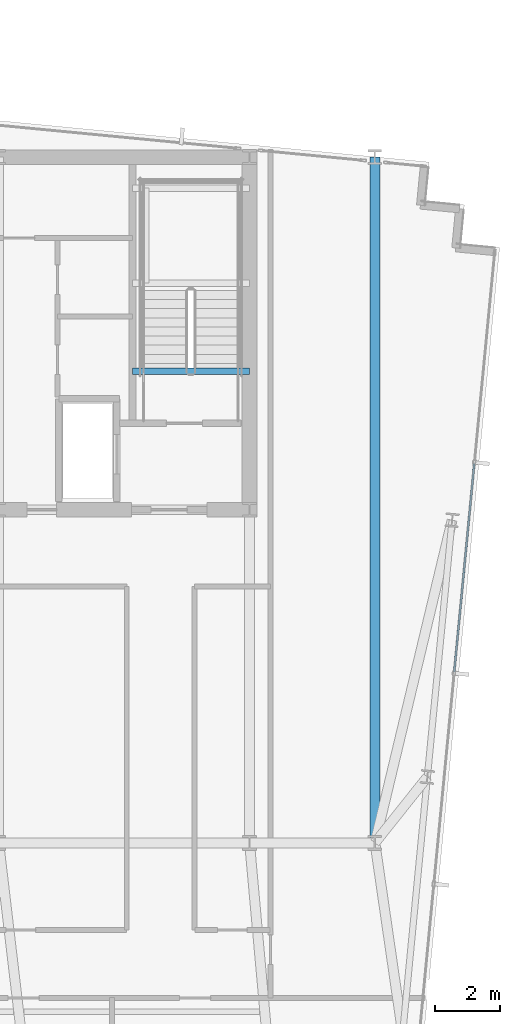
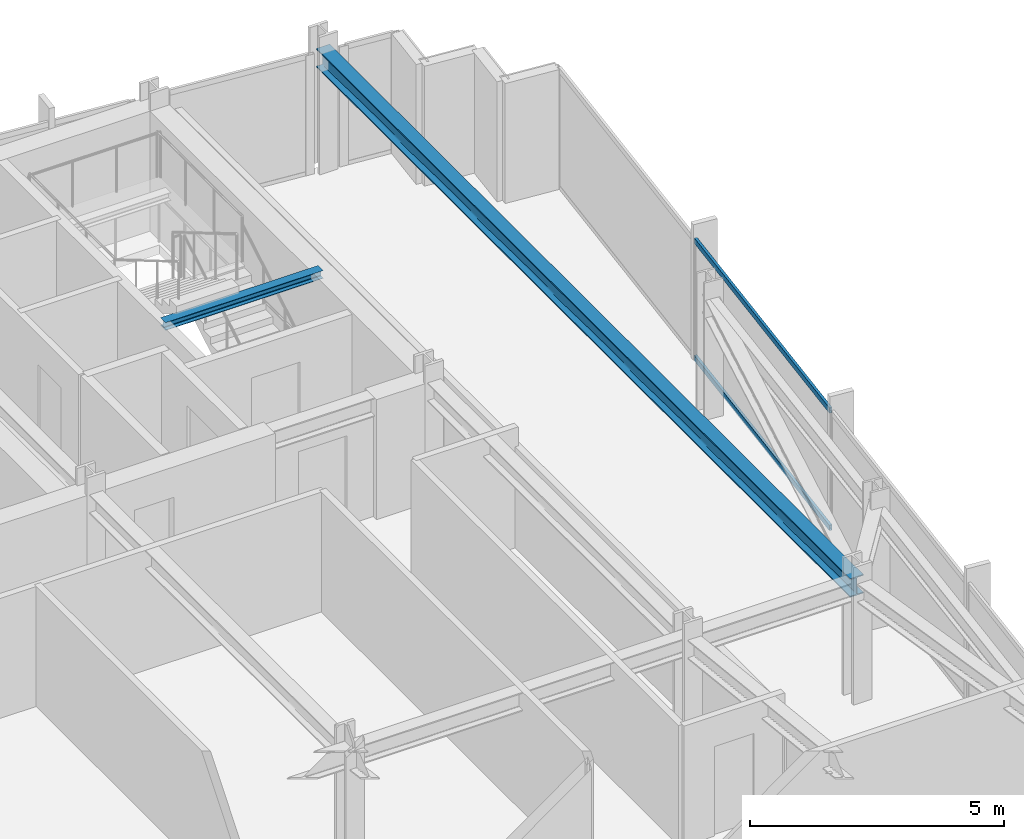
# One storey, part 19 of 37: 2 beams, 2 members, 1 element without a shape of its own.
"""IFC4 building model written with IfcOpenShell, lengths in metres."""

from ifc_helpers import new_model, si_unit, direction, frame, origin, origin_2d, place, context, subcontext, project, spatial, hollow_rectangle, i_section, extrude, material, material_profile, profile_set, type_object, element, aggregate, save


model = new_model("IFC4")

# Units and contexts
model_context = context("Model", 3, precision=1e-05, world=origin(), true_north=direction((0.0, 1.0)))
body_context = subcontext(model_context, "Body", "Model", "MODEL_VIEW")
ifc_project = project(units=[si_unit("LENGTHUNIT", "METRE"), si_unit("AREAUNIT", "SQUARE_METRE"), si_unit("VOLUMEUNIT", "CUBIC_METRE"), si_unit("PLANEANGLEUNIT", "RADIAN"), si_unit("MASSUNIT", "GRAM", prefix="KILO")], contexts=[model_context])

# Site, building, storey
site_placement = place(None, origin())
site = spatial("IfcSite", under=ifc_project, at=site_placement, CompositionType="ELEMENT")
building_placement = place(site_placement, origin())
building = spatial("IfcBuilding", under=site, at=building_placement, Name="Yelkora Congress Tower", CompositionType="ELEMENT")
storey_placement = place(building_placement, frame((0.0, 0.0, 188.60009765625)))
storey = spatial("IfcBuildingStorey", under=building, at=storey_placement, Name="L52", CompositionType="ELEMENT", Elevation=188.60009765625)

# Beams
ifc_material_1 = material(Name="Steel S355J2", Category="steel")
ifc_material_profile_1 = material_profile(ifc_material_1, i_section(OverallWidth=0.300048828125, OverallDepth=0.449951171875, WebThickness=0.013916015625, FlangeThickness=0.02587890625, FilletRadius=0.027099609375, at=origin_2d()), Name="HEB 450")
ifc_profile_set_1 = profile_set([ifc_material_profile_1], Name="Steel S355J2")
beam_type_1 = type_object("IfcBeamType", Name="BM-GIRD-HEB450", PredefinedType="BEAM", material=ifc_profile_set_1)
beam_1_placement = place(storey_placement, frame((57.60009765625, 25.199951171875, 2.65478515625), z_axis=(0.0, 1.0, 0.0), x_axis=(-1.0, 0.0, 0.0)))
element("IfcBeam", 1, at=beam_1_placement, inside=storey, type_object=beam_type_1, Name="L52 Neck Flank Girder MC-F2", PredefinedType="BEAM", context=body_context, shape_type="SweptSolid", body=[
    extrude(i_section(OverallWidth=0.300048828125, OverallDepth=0.449951171875, WebThickness=0.013916015625, FlangeThickness=0.02587890625, FilletRadius=0.027099609375, at=origin_2d()), origin(), (0.0, 0.0, 1.0), 21.0),
])
ifc_material_profile_2 = material_profile(ifc_material_1, i_section(OverallWidth=0.199951171875, OverallDepth=0.18994140625, WebThickness=0.006591796875, FlangeThickness=0.010009765625, FilletRadius=0.01806640625, at=origin_2d()), Name="HEA 200")
ifc_profile_set_2 = profile_set([ifc_material_profile_2], Name="Steel S355J2")
beam_type_2 = type_object("IfcBeamType", Name="BM-LAND-HEA200", PredefinedType="BEAM", material=ifc_profile_set_2)
beam_2_placement = place(storey_placement, frame((50.179931640625, 39.639892578125, 2.784423828125), z_axis=(1.0, 0.0, 0.0), x_axis=(0.0, 1.0, 0.0)))
element("IfcBeam", 2, at=beam_2_placement, inside=storey, type_object=beam_type_2, Name="ST-02 L52 Floor Arrival Stringer Header Beam", PredefinedType="BEAM", context=body_context, shape_type="SweptSolid", body=[
    extrude(i_section(OverallWidth=0.199951171875, OverallDepth=0.18994140625, WebThickness=0.006591796875, FlangeThickness=0.010009765625, FilletRadius=0.01806640625, at=origin_2d()), origin(), (0.0, 0.0, 1.0), 3.580078125),
])

# Curtain wall, members
ifc_material_2 = material(Name="Anodised aluminium and insulated glass", Category="aluminium")
curtain_wall_type = type_object("IfcCurtainWallType", Name="CW-SYS-B3", PredefinedType="NOTDEFINED", material=ifc_material_2)
curtain_wall_placement = place(storey_placement, origin())
curtain_wall = element("IfcCurtainWall", 3, at=curtain_wall_placement, inside=storey, type_object=curtain_wall_type, Name="L52 Unitised Curtain Wall 15", PredefinedType="NOTDEFINED")
ifc_material_3 = material(Name="Anodised aluminium 6063-T6", Category="aluminium")
ifc_material_profile_3 = material_profile(ifc_material_3, hollow_rectangle(XDim=0.06005859375, YDim=0.1298828125, WallThickness=0.00390625, at=origin_2d()), Name="ALU 60x130x4")
ifc_profile_set_3 = profile_set([ifc_material_profile_3], Name="Anodised aluminium 6063-T6")
member_type = type_object("IfcMemberType", Name="MEM-TR-B3", PredefinedType="USERDEFINED", material=ifc_profile_set_3)
member_1_placement = place(storey_placement, frame((60.642822265625, 36.81494140625, 0.02978515625), z_axis=(-0.095843682057, -0.995396397728, 0.0), x_axis=(0.995396397728, -0.095843682057, 0.0)))
member_1 = element("IfcMember", 4, at=member_1_placement, type_object=member_type, Name="CW-B3 transom 2.1", ObjectType="TRANSOM", PredefinedType="USERDEFINED", context=body_context, shape_type="SweptSolid", body=[
    extrude(hollow_rectangle(XDim=0.06005859375, YDim=0.1298828125, WallThickness=0.00390625, at=origin_2d()), origin(), (0.0, 0.0, 1.0), 6.4140625),
])
member_2_placement = place(storey_placement, frame((60.642822265625, 36.81494140625, 2.849853515625), z_axis=(-0.095843682057, -0.995396397728, 0.0), x_axis=(0.995396397728, -0.095843682057, 0.0)))
member_2 = element("IfcMember", 5, at=member_2_placement, type_object=member_type, Name="CW-B3 transom 2.2", ObjectType="TRANSOM", PredefinedType="USERDEFINED", context=body_context, shape_type="SweptSolid", body=[
    extrude(hollow_rectangle(XDim=0.06005859375, YDim=0.1298828125, WallThickness=0.00390625, at=origin_2d()), origin(), (0.0, 0.0, 1.0), 6.4140625),
])
aggregate(curtain_wall, [member_1, member_2])

save(model, "model.ifc")
